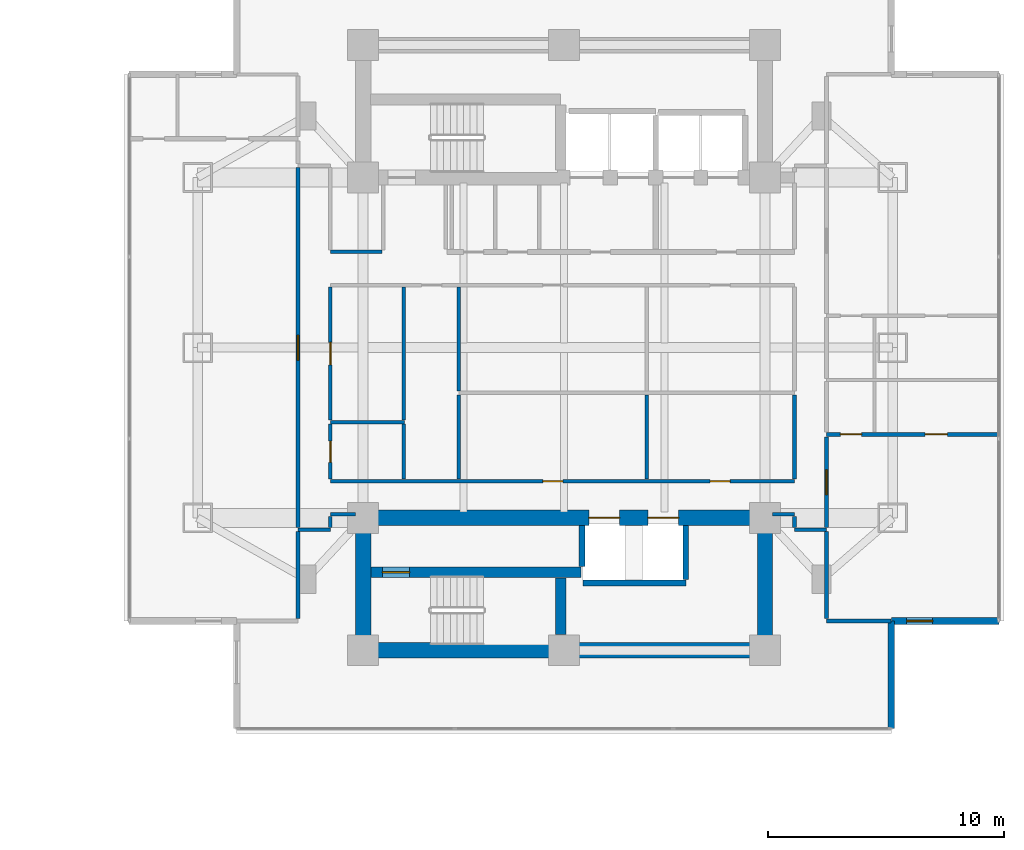
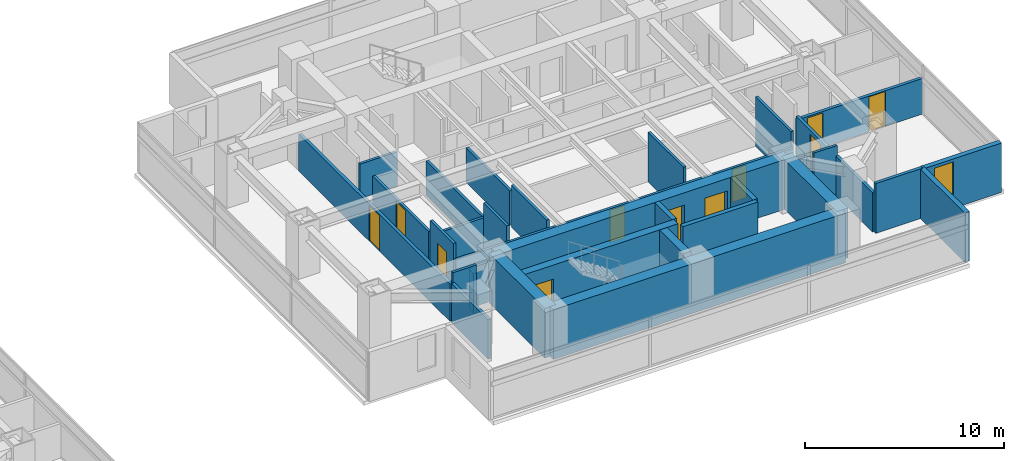
# One storey, part 17 of 24: 34 walls, 11 doors, 1 window, 12 openings.
"""IFC4 building model written with IfcOpenShell, lengths in metres."""

from ifc_helpers import new_model, si_unit, direction, frame, frame_2d, origin, place, context, subcontext, project, spatial, rectangle, extrude, material, layer, layer_set, type_object, element, fill, save


model = new_model("IFC4")

# Units and contexts
model_context = context("Model", 3, precision=1e-05, world=origin(), true_north=direction((0.0, 1.0)))
body_context = subcontext(model_context, "Body", "Model", "MODEL_VIEW")
ifc_project = project(units=[si_unit("LENGTHUNIT", "METRE"), si_unit("AREAUNIT", "SQUARE_METRE"), si_unit("VOLUMEUNIT", "CUBIC_METRE"), si_unit("PLANEANGLEUNIT", "RADIAN"), si_unit("MASSUNIT", "GRAM", prefix="KILO")], contexts=[model_context])

# Site, building, storey
site_placement = place(None, origin())
site = spatial("IfcSite", under=ifc_project, at=site_placement, CompositionType="ELEMENT")
building_placement = place(site_placement, origin())
building = spatial("IfcBuilding", under=site, at=building_placement, Name="Mirazonda Arch Towers", CompositionType="ELEMENT")
storey_placement = place(building_placement, frame((0.0, 0.0, 65.300048828125)))
storey = spatial("IfcBuildingStorey", under=building, at=storey_placement, Name="L18", CompositionType="ELEMENT", Elevation=65.300048828125)

# Wall, opening, door
ifc_material_1 = material(Name="Concrete C50/60", Category="concrete")
ifc_layer_1 = layer(ifc_material_1, 0.449951171875, Name="WALL-CORE-450")
ifc_layer_set_1 = layer_set([ifc_layer_1], Name="Concrete C50/60")
wall_type_1 = type_object("IfcWallType", Name="WALL-CORE-450", PredefinedType="SHEAR", material=ifc_layer_set_1)
wall_1_placement = place(storey_placement, frame((68.320068359375, 18.5, 0.0), z_axis=(0.0, 0.0, 1.0), x_axis=(1.0, 0.0, 0.0)))
wall_1 = element("IfcWall", 1, at=wall_1_placement, inside=storey, type_object=wall_type_1, Name="L18 Stair Core Shear Wall 014", PredefinedType="SHEAR", context=body_context, shape_type="SweptSolid", body=[
    extrude(rectangle(XDim=8.89990234375, YDim=0.449951171875, at=frame_2d((4.449951171875, 0.0))), origin(), (0.0, 0.0, 1.0), 3.06005859375),
])
opening_1_placement = place(wall_1_placement, frame((0.4951171875, 0.0, 0.0)))
opening_1 = element("IfcOpeningElement", 2, at=opening_1_placement, cuts=wall_1, Name="Opening DR-135", PredefinedType="OPENING", context=body_context, shape_type="SweptSolid", body=[
    extrude(rectangle(XDim=1.14990234375, YDim=2.199951171875, at=frame_2d((0.574951171875, 1.10009765625))), frame((0.0, 0.23486328125, 0.0), z_axis=(0.0, -1.0, 0.0), x_axis=(1.0, 0.0, 0.0)), (0.0, 0.0, 1.0), 0.469970703125),
])
ifc_material_2 = material(Name="Architectural Brushed Steel S355", Category="steel")
door_type_1 = type_object("IfcDoorType", Name="DOOR-STAIR-FD90-1150", OperationType="NOTDEFINED", PredefinedType="DOOR", material=ifc_material_2)
door_1_placement = place(opening_1_placement, origin())
door_1 = element("IfcDoor", 3, at=door_1_placement, inside=storey, type_object=door_type_1, Name="L18 East Protected Stair South Door", OperationType="SINGLE_SWING_LEFT", OverallHeight=2.199951171875, OverallWidth=1.14990234375, PredefinedType="DOOR", context=body_context, shape_type="SweptSolid", body=[
    extrude(rectangle(XDim=1.14990234375, YDim=2.199951171875, at=frame_2d((0.574951171875, 1.10009765625))), frame((0.0, 0.02490234375, 0.0), z_axis=(0.0, -1.0, 0.0), x_axis=(1.0, 0.0, 0.0)), (0.0, 0.0, 1.0), 0.050048828125),
])
fill(opening_1, door_1)

# Walls
wall_2_placement = place(storey_placement, frame((76.360107421875, 15.864990234375, 0.0), z_axis=(0.0, 0.0, 1.0), x_axis=(0.0, 1.0, 0.0)))
element("IfcWall", 4, at=wall_2_placement, inside=storey, type_object=wall_type_1, Name="L18 Stair Core Shear Wall 137", PredefinedType="SHEAR", context=body_context, shape_type="SweptSolid", body=[
    extrude(rectangle(XDim=2.39990234375, YDim=0.449951171875, at=frame_2d((1.199951171875, 0.0))), origin(), (0.0, 0.0, 1.0), 3.06005859375),
])
ifc_material_3 = material(Name="Concrete C60/75", Category="concrete")
ifc_layer_2 = layer(ifc_material_3, 0.64990234375, Name="WALL-CORE-650")
ifc_layer_set_2 = layer_set([ifc_layer_2], Name="Concrete C60/75")
wall_type_2 = type_object("IfcWallType", Name="WALL-CORE-650", PredefinedType="SHEAR", material=ifc_layer_set_2)
wall_3_placement = place(storey_placement, frame((68.0, 15.199951171875, 0.0), z_axis=(0.0, 0.0, 1.0), x_axis=(1.0, 0.0, 0.0)))
element("IfcWall", 5, at=wall_3_placement, inside=storey, type_object=wall_type_2, Name="L18 T2S-S Core Shear Wall", PredefinedType="SHEAR", context=body_context, shape_type="SweptSolid", body=[
    extrude(rectangle(XDim=17.0, YDim=0.64990234375, at=frame_2d((8.5, 0.0))), origin(), (0.0, 0.0, 1.0), 3.06005859375),
])
for number, where, z_axis, x_axis, name in (
    (6, (68.0, 15.199951171875, 0.0), (0.0, 0.0, 1.0), (0.0, 1.0, 0.0), "L18 T2S-W Core Shear Wall"),
    (7, (85.0, 15.199951171875, 0.0), (0.0, 0.0, 1.0), (0.0, 1.0, 0.0), "L18 T2S-E Core Shear Wall"),
):
    element("IfcWall", number, at=place(storey_placement, frame(where, z_axis=z_axis, x_axis=x_axis)), inside=storey, type_object=wall_type_2, Name=name, PredefinedType="SHEAR", context=body_context, shape_type="SweptSolid", body=[
        extrude(rectangle(XDim=5.60009765625, YDim=0.64990234375, at=frame_2d((2.800048828125, 0.0))), origin(), (0.0, 0.0, 1.0), 3.06005859375),
    ])

# Wall, openings, doors
wall_4_placement = place(storey_placement, frame((68.0, 20.800048828125, 0.0), z_axis=(0.0, 0.0, 1.0), x_axis=(1.0, 0.0, 0.0)))
wall_4 = element("IfcWall", 8, at=wall_4_placement, inside=storey, type_object=wall_type_2, Name="L18 T2S-N Core Shear Wall", PredefinedType="SHEAR", context=body_context, shape_type="SweptSolid", body=[
    extrude(rectangle(XDim=17.0, YDim=0.64990234375, at=frame_2d((8.5, 0.0))), origin(), (0.0, 0.0, 1.0), 3.06005859375),
])
opening_2_placement = place(wall_4_placement, frame((9.550048828125, 0.0, 0.0)))
opening_2 = element("IfcOpeningElement", 9, at=opening_2_placement, cuts=wall_4, Name="Opening LD-111", PredefinedType="OPENING", context=body_context, shape_type="SweptSolid", body=[
    extrude(rectangle(XDim=1.300048828125, YDim=2.300048828125, at=frame_2d((0.64990234375, 1.14990234375))), frame((0.0, 0.3349609375, 0.0), z_axis=(0.0, -1.0, 0.0), x_axis=(1.0, 0.0, 0.0)), (0.0, 0.0, 1.0), 0.669921875),
])
opening_3_placement = place(wall_4_placement, frame((12.050048828125, 0.0, 0.0)))
opening_3 = element("IfcOpeningElement", 10, at=opening_3_placement, cuts=wall_4, Name="Opening LD-111", PredefinedType="OPENING", context=body_context, shape_type="SweptSolid", body=[
    extrude(rectangle(XDim=1.300048828125, YDim=2.300048828125, at=frame_2d((0.64990234375, 1.14990234375))), frame((0.0, 0.3349609375, 0.0), z_axis=(0.0, -1.0, 0.0), x_axis=(1.0, 0.0, 0.0)), (0.0, 0.0, 1.0), 0.669921875),
])
door_type_2 = type_object("IfcDoorType", Name="DOOR-LIFT-LAND-1300", OperationType="NOTDEFINED", PredefinedType="DOOR", material=ifc_material_2)
door_2_placement = place(opening_2_placement, origin())
door_2 = element("IfcDoor", 11, at=door_2_placement, inside=storey, type_object=door_type_2, Name="L18 Lift Landing Sliding Door PL-T2H1", OperationType="DOUBLE_DOOR_SLIDING", OverallHeight=2.300048828125, OverallWidth=1.300048828125, PredefinedType="DOOR", context=body_context, shape_type="SweptSolid", body=[
    extrude(rectangle(XDim=1.300048828125, YDim=2.300048828125, at=frame_2d((0.64990234375, 1.14990234375))), frame((0.0, 0.02490234375, 0.0), z_axis=(0.0, -1.0, 0.0), x_axis=(1.0, 0.0, 0.0)), (0.0, 0.0, 1.0), 0.050048828125),
])
fill(opening_2, door_2)
door_3_placement = place(opening_3_placement, origin())
door_3 = element("IfcDoor", 12, at=door_3_placement, inside=storey, type_object=door_type_2, Name="L18 Lift Landing Sliding Door PL-T2H2", OperationType="DOUBLE_DOOR_SLIDING", OverallHeight=2.300048828125, OverallWidth=1.300048828125, PredefinedType="DOOR", context=body_context, shape_type="SweptSolid", body=[
    extrude(rectangle(XDim=1.300048828125, YDim=2.300048828125, at=frame_2d((0.64990234375, 1.14990234375))), frame((0.0, 0.02490234375, 0.0), z_axis=(0.0, -1.0, 0.0), x_axis=(1.0, 0.0, 0.0)), (0.0, 0.0, 1.0), 0.050048828125),
])
fill(opening_3, door_3)

# Wall, opening, window
ifc_material_4 = material(Name="Precast Concrete C40/50", Category="concrete")
ifc_layer_3 = layer(ifc_material_4, 0.280029296875, Name="WALL-EXT-WALL-280")
ifc_layer_set_3 = layer_set([ifc_layer_3], Name="Precast Concrete C40/50")
wall_type_3 = type_object("IfcWallType", Name="WALL-EXT-WALL-280", PredefinedType="SOLIDWALL", material=ifc_layer_set_3)
wall_5_placement = place(storey_placement, frame((90.345947265625, 16.436767578125, 0.0), z_axis=(0.0, 0.0, 1.0), x_axis=(1.0, 0.0, 0.0)))
wall_5 = element("IfcWall", 13, at=wall_5_placement, inside=storey, type_object=wall_type_3, Name="L18 T2 Corner Notch Return Wall WL-L18-T2-CSE1", PredefinedType="SOLIDWALL", context=body_context, shape_type="SweptSolid", body=[
    extrude(rectangle(XDim=4.546142578125, YDim=0.280029296875, at=frame_2d((2.27294921875, 0.0))), origin(), (0.0, 0.0, 1.0), 3.0400390625),
])
opening_4_placement = place(wall_5_placement, frame((0.64990234375, 0.0, 0.85009765625)))
opening_4 = element("IfcOpeningElement", 14, at=opening_4_placement, cuts=wall_5, Name="Opening WN-108", PredefinedType="OPENING", context=body_context, shape_type="SweptSolid", body=[
    extrude(rectangle(XDim=1.10009765625, YDim=2.0, at=frame_2d((0.550048828125, 1.0))), frame((0.0, 0.14990234375, 0.0), z_axis=(0.0, -1.0, 0.0), x_axis=(1.0, 0.0, 0.0)), (0.0, 0.0, 1.0), 0.300048828125),
])
ifc_material_5 = material(Name="Insulated Low-E Solar Glass", Category="glass")
window_type = type_object("IfcWindowType", Name="WIN-NOTCH-1100x2000", PartitioningType="SINGLE_PANEL", PredefinedType="WINDOW", material=ifc_material_5)
window_placement = place(opening_4_placement, origin())
window = element("IfcWindow", 15, at=window_placement, inside=storey, type_object=window_type, Name="L18 Punched Facade Window WN-L18-T2-CSE1", OverallHeight=2.0, OverallWidth=1.10009765625, PartitioningType="SINGLE_PANEL", PredefinedType="WINDOW", context=body_context, shape_type="SweptSolid", body=[
    extrude(rectangle(XDim=1.10009765625, YDim=2.0, at=frame_2d((0.550048828125, 1.0))), frame((0.0, 0.030029296875, 0.0), z_axis=(0.0, -1.0, 0.0), x_axis=(1.0, 0.0, 0.0)), (0.0, 0.0, 1.0), 0.06005859375),
])
fill(opening_4, window)

# Walls
wall_6_placement = place(storey_placement, frame((90.345947265625, 11.890869140625, 0.0), z_axis=(0.0, 0.0, 1.0), x_axis=(0.0, 1.0, 0.0)))
element("IfcWall", 16, at=wall_6_placement, inside=storey, type_object=wall_type_3, Name="L18 T2 Corner Notch Return Wall WL-L18-T2-CSE2", PredefinedType="SOLIDWALL", context=body_context, shape_type="SweptSolid", body=[
    extrude(rectangle(XDim=4.5458984375, YDim=0.280029296875, at=frame_2d((2.27294921875, 0.0))), origin(), (0.0, 0.0, 1.0), 3.0400390625),
])
ifc_material_6 = material(Name="Fire-Rated Gypsum Stud Partition")
ifc_layer_4 = layer(ifc_material_6, 0.14990234375, Name="WALL-PART-CORR-150")
ifc_layer_set_4 = layer_set([ifc_layer_4], Name="Fire-Rated Gypsum Stud Partition")
wall_type_4 = type_object("IfcWallType", Name="WALL-PART-CORR-150", PredefinedType="PARTITIONING", material=ifc_layer_set_4)
wall_7_placement = place(storey_placement, frame((65.25, 20.300048828125, 0.0), z_axis=(0.0, 0.0, 1.0), x_axis=(1.0, 0.0, 0.0)))
element("IfcWall", 17, at=wall_7_placement, inside=storey, type_object=wall_type_4, Name="L18 Interior Partition 017", PredefinedType="PARTITIONING", context=body_context, shape_type="SweptSolid", body=[
    extrude(rectangle(XDim=1.3701171875, YDim=0.14990234375, at=frame_2d((0.68505859375, 0.0))), origin(), (0.0, 0.0, 1.0), 3.06005859375),
])
wall_8_placement = place(storey_placement, frame((86.25, 20.300048828125, 0.0), z_axis=(0.0, 0.0, 1.0), x_axis=(1.0, 0.0, 0.0)))
element("IfcWall", 18, at=wall_8_placement, inside=storey, type_object=wall_type_4, Name="L18 Interior Partition 018", PredefinedType="PARTITIONING", context=body_context, shape_type="SweptSolid", body=[
    extrude(rectangle(XDim=1.35009765625, YDim=0.14990234375, at=frame_2d((0.675048828125, 0.0))), origin(), (0.0, 0.0, 1.0), 3.06005859375),
])
wall_9_placement = place(storey_placement, frame((66.6201171875, 20.949951171875, 0.0), z_axis=(0.0, 0.0, 1.0), x_axis=(1.0, 0.0, 0.0)))
element("IfcWall", 19, at=wall_9_placement, inside=storey, type_object=wall_type_4, Name="L18 Interior Partition 019", PredefinedType="PARTITIONING", context=body_context, shape_type="SweptSolid", body=[
    extrude(rectangle(XDim=1.059814453125, YDim=0.14990234375, at=frame_2d((0.52978515625, 0.0))), origin(), (0.0, 0.0, 1.0), 2.451904296875),
])
wall_10_placement = place(storey_placement, frame((85.320068359375, 20.949951171875, 0.0), z_axis=(0.0, 0.0, 1.0), x_axis=(1.0, 0.0, 0.0)))
element("IfcWall", 20, at=wall_10_placement, inside=storey, type_object=wall_type_4, Name="L18 Interior Partition 020", PredefinedType="PARTITIONING", context=body_context, shape_type="SweptSolid", body=[
    extrude(rectangle(XDim=0.929931640625, YDim=0.14990234375, at=frame_2d((0.46484375, 0.0))), origin(), (0.0, 0.0, 1.0), 2.451904296875),
])

# Wall, openings, doors
wall_11_placement = place(storey_placement, frame((66.6201171875, 22.35009765625, 0.0), z_axis=(0.0, 0.0, 1.0), x_axis=(1.0, 0.0, 0.0)))
wall_11 = element("IfcWall", 21, at=wall_11_placement, inside=storey, type_object=wall_type_4, Name="L18 Interior Partition 022", PredefinedType="PARTITIONING", context=body_context, shape_type="SweptSolid", body=[
    extrude(rectangle(XDim=19.6298828125, YDim=0.14990234375, at=frame_2d((9.81494140625, 0.0))), origin(), (0.0, 0.0, 1.0), 2.125),
])
opening_5_placement = place(wall_11_placement, frame((8.98095703125, 0.0, 0.0)))
opening_5 = element("IfcOpeningElement", 22, at=opening_5_placement, cuts=wall_11, Name="Opening DR-128", PredefinedType="OPENING", context=body_context, shape_type="SweptSolid", body=[
    extrude(rectangle(XDim=0.85009765625, YDim=2.010009765625, at=frame_2d((0.425048828125, 1.0048828125))), frame((0.0, 0.0849609375, 0.0), z_axis=(0.0, -1.0, 0.0), x_axis=(1.0, 0.0, 0.0)), (0.0, 0.0, 1.0), 0.169921875),
])
opening_6_placement = place(wall_11_placement, frame((16.06103515625, 0.0, 0.0)))
opening_6 = element("IfcOpeningElement", 23, at=opening_6_placement, cuts=wall_11, Name="Opening DR-128", PredefinedType="OPENING", context=body_context, shape_type="SweptSolid", body=[
    extrude(rectangle(XDim=0.85009765625, YDim=2.010009765625, at=frame_2d((0.425048828125, 1.0048828125))), frame((0.0, 0.0849609375, 0.0), z_axis=(0.0, -1.0, 0.0), x_axis=(1.0, 0.0, 0.0)), (0.0, 0.0, 1.0), 0.169921875),
])
door_type_3 = type_object("IfcDoorType", Name="DOOR-RISER-FD60-850", OperationType="NOTDEFINED", PredefinedType="DOOR", material=ifc_material_2)
door_4_placement = place(opening_5_placement, origin())
door_4 = element("IfcDoor", 24, at=door_4_placement, inside=storey, type_object=door_type_3, Name="L18 Executive Club Lounge Door", OperationType="SINGLE_SWING_RIGHT", OverallHeight=2.010009765625, OverallWidth=0.85009765625, PredefinedType="DOOR", context=body_context, shape_type="SweptSolid", body=[
    extrude(rectangle(XDim=0.85009765625, YDim=2.010009765625, at=frame_2d((0.425048828125, 1.0048828125))), frame((0.0, 0.02490234375, 0.0), z_axis=(0.0, -1.0, 0.0), x_axis=(1.0, 0.0, 0.0)), (0.0, 0.0, 1.0), 0.050048828125),
])
fill(opening_5, door_4)
door_5_placement = place(opening_6_placement, origin())
door_5 = element("IfcDoor", 25, at=door_5_placement, inside=storey, type_object=door_type_3, Name="L18 Business Reading Study Door", OperationType="SINGLE_SWING_LEFT", OverallHeight=2.010009765625, OverallWidth=0.85009765625, PredefinedType="DOOR", context=body_context, shape_type="SweptSolid", body=[
    extrude(rectangle(XDim=0.85009765625, YDim=2.010009765625, at=frame_2d((0.425048828125, 1.0048828125))), frame((0.0, 0.02490234375, 0.0), z_axis=(0.0, -1.0, 0.0), x_axis=(1.0, 0.0, 0.0)), (0.0, 0.0, 1.0), 0.050048828125),
])
fill(opening_6, door_5)

# Walls
wall_12_placement = place(storey_placement, frame((66.6201171875, 24.85009765625, 0.0), z_axis=(0.0, 0.0, 1.0), x_axis=(1.0, 0.0, 0.0)))
element("IfcWall", 26, at=wall_12_placement, inside=storey, type_object=wall_type_4, Name="L18 Interior Partition 027", PredefinedType="PARTITIONING", context=body_context, shape_type="SweptSolid", body=[
    extrude(rectangle(XDim=3.1298828125, YDim=0.14990234375, at=frame_2d((1.56494140625, 0.0))), origin(), (0.0, 0.0, 1.0), 2.125),
])
wall_13_placement = place(storey_placement, frame((66.6201171875, 32.050048828125, 0.0), z_axis=(0.0, 0.0, 1.0), x_axis=(1.0, 0.0, 0.0)))
element("IfcWall", 27, at=wall_13_placement, inside=storey, type_object=wall_type_4, Name="L18 Interior Partition 035", PredefinedType="PARTITIONING", context=body_context, shape_type="SweptSolid", body=[
    extrude(rectangle(XDim=2.179931640625, YDim=0.14990234375, at=frame_2d((1.08984375, 0.0))), origin(), (0.0, 0.0, 1.0), 2.125),
])
wall_14_placement = place(storey_placement, frame((66.6201171875, 20.385009765625, 0.0), z_axis=(0.0, 0.0, 1.0), x_axis=(0.0, 1.0, 0.0)))
element("IfcWall", 28, at=wall_14_placement, inside=storey, type_object=wall_type_4, Name="L18 Interior Partition 124", PredefinedType="PARTITIONING", context=body_context, shape_type="SweptSolid", body=[
    extrude(rectangle(XDim=0.47998046875, YDim=0.14990234375, at=frame_2d((0.239990234375, 0.0))), origin(), (0.0, 0.0, 1.0), 2.451904296875),
])

# Wall, opening, door
wall_15_placement = place(storey_placement, frame((66.6201171875, 22.43505859375, 0.0), z_axis=(0.0, 0.0, 1.0), x_axis=(0.0, 1.0, 0.0)))
wall_15 = element("IfcWall", 29, at=wall_15_placement, inside=storey, type_object=wall_type_4, Name="L18 Interior Partition 125", PredefinedType="PARTITIONING", context=body_context, shape_type="SweptSolid", body=[
    extrude(rectangle(XDim=2.329833984375, YDim=0.14990234375, at=frame_2d((1.1650390625, 0.0))), origin(), (0.0, 0.0, 1.0), 3.06005859375),
])
opening_7_placement = place(wall_15_placement, frame((0.715087890625, 0.0, 0.0)))
opening_7 = element("IfcOpeningElement", 30, at=opening_7_placement, cuts=wall_15, Name="Opening DR-120", PredefinedType="OPENING", context=body_context, shape_type="SweptSolid", body=[
    extrude(rectangle(XDim=0.89990234375, YDim=2.10009765625, at=frame_2d((0.449951171875, 1.050048828125))), frame((0.0, 0.0849609375, 0.0), z_axis=(0.0, -1.0, 0.0), x_axis=(1.0, 0.0, 0.0)), (0.0, 0.0, 1.0), 0.169921875),
])
door_type_4 = type_object("IfcDoorType", Name="DOOR-WC-900", OperationType="NOTDEFINED", PredefinedType="DOOR", material=ifc_material_2)
door_6_placement = place(opening_7_placement, origin())
door_6 = element("IfcDoor", 31, at=door_6_placement, inside=storey, type_object=door_type_4, Name="L18 Tower 2 Common Accessible WC Door", OperationType="SINGLE_SWING_RIGHT", OverallHeight=2.10009765625, OverallWidth=0.89990234375, PredefinedType="DOOR", context=body_context, shape_type="SweptSolid", body=[
    extrude(rectangle(XDim=0.89990234375, YDim=2.10009765625, at=frame_2d((0.449951171875, 1.050048828125))), frame((0.0, 0.02490234375, 0.0), z_axis=(0.0, -1.0, 0.0), x_axis=(1.0, 0.0, 0.0)), (0.0, 0.0, 1.0), 0.050048828125),
])
fill(opening_7, door_6)

wall_16_placement = place(storey_placement, frame((66.6201171875, 24.93505859375, 0.0), z_axis=(0.0, 0.0, 1.0), x_axis=(0.0, 1.0, 0.0)))
wall_16 = element("IfcWall", 32, at=wall_16_placement, inside=storey, type_object=wall_type_4, Name="L18 Interior Partition 126", PredefinedType="PARTITIONING", context=body_context, shape_type="SweptSolid", body=[
    extrude(rectangle(XDim=5.6298828125, YDim=0.14990234375, at=frame_2d((2.81494140625, 0.0))), origin(), (0.0, 0.0, 1.0), 2.279052734375),
])
opening_8_placement = place(wall_16_placement, frame((2.340087890625, 0.0, 0.0)))
opening_8 = element("IfcOpeningElement", 33, at=opening_8_placement, cuts=wall_16, Name="Opening DR-104", PredefinedType="OPENING", context=body_context, shape_type="SweptSolid", body=[
    extrude(rectangle(XDim=0.949951171875, YDim=2.14990234375, at=frame_2d((0.47509765625, 1.074951171875))), frame((0.0, 0.0849609375, 0.0), z_axis=(0.0, -1.0, 0.0), x_axis=(1.0, 0.0, 0.0)), (0.0, 0.0, 1.0), 0.169921875),
])
door_type_5 = type_object("IfcDoorType", Name="DOOR-ROOM-950", OperationType="NOTDEFINED", PredefinedType="DOOR", material=ifc_material_2)
door_7_placement = place(opening_8_placement, origin())
door_7 = element("IfcDoor", 34, at=door_7_placement, inside=storey, type_object=door_type_5, Name="L18 L18 East Courtyard Reading Study Door", OperationType="SINGLE_SWING_RIGHT", OverallHeight=2.14990234375, OverallWidth=0.949951171875, PredefinedType="DOOR", context=body_context, shape_type="SweptSolid", body=[
    extrude(rectangle(XDim=0.949951171875, YDim=2.14990234375, at=frame_2d((0.47509765625, 1.074951171875))), frame((0.0, 0.02490234375, 0.0), z_axis=(0.0, -1.0, 0.0), x_axis=(1.0, 0.0, 0.0)), (0.0, 0.0, 1.0), 0.050048828125),
])
fill(opening_8, door_7)

# Walls
wall_17_placement = place(storey_placement, frame((69.723388671875, 22.43505859375, 0.0), z_axis=(0.0, 0.0, 1.0), x_axis=(0.0, 1.0, 0.0)))
element("IfcWall", 35, at=wall_17_placement, inside=storey, type_object=wall_type_4, Name="L18 Interior Partition 129", PredefinedType="PARTITIONING", context=body_context, shape_type="SweptSolid", body=[
    extrude(rectangle(XDim=2.329833984375, YDim=0.14990234375, at=frame_2d((1.1650390625, 0.0))), origin(), (0.0, 0.0, 1.0), 3.06005859375),
])
wall_18_placement = place(storey_placement, frame((69.723388671875, 24.93505859375, 0.0), z_axis=(0.0, 0.0, 1.0), x_axis=(0.0, 1.0, 0.0)))
element("IfcWall", 36, at=wall_18_placement, inside=storey, type_object=wall_type_4, Name="L18 Interior Partition 130", PredefinedType="PARTITIONING", context=body_context, shape_type="SweptSolid", body=[
    extrude(rectangle(XDim=5.6298828125, YDim=0.14990234375, at=frame_2d((2.81494140625, 0.0))), origin(), (0.0, 0.0, 1.0), 2.125),
])
wall_19_placement = place(storey_placement, frame((72.050048828125, 22.43505859375, 0.0), z_axis=(0.0, 0.0, 1.0), x_axis=(0.0, 1.0, 0.0)))
element("IfcWall", 37, at=wall_19_placement, inside=storey, type_object=wall_type_4, Name="L18 Interior Partition 133", PredefinedType="PARTITIONING", context=body_context, shape_type="SweptSolid", body=[
    extrude(rectangle(XDim=3.56494140625, YDim=0.14990234375, at=frame_2d((1.782470703125, 0.0))), origin(), (0.0, 0.0, 1.0), 2.5888671875),
])
wall_20_placement = place(storey_placement, frame((72.050048828125, 26.169921875, 0.0), z_axis=(0.0, 0.0, 1.0), x_axis=(0.0, 1.0, 0.0)))
element("IfcWall", 38, at=wall_20_placement, inside=storey, type_object=wall_type_4, Name="L18 Interior Partition 134", PredefinedType="PARTITIONING", context=body_context, shape_type="SweptSolid", body=[
    extrude(rectangle(XDim=4.39501953125, YDim=0.14990234375, at=frame_2d((2.197509765625, 0.0))), origin(), (0.0, 0.0, 1.0), 2.125),
])
wall_21_placement = place(storey_placement, frame((80.001953125, 22.43505859375, 0.0), z_axis=(0.0, 0.0, 1.0), x_axis=(0.0, 1.0, 0.0)))
element("IfcWall", 39, at=wall_21_placement, inside=storey, type_object=wall_type_4, Name="L18 Interior Partition 140", PredefinedType="PARTITIONING", context=body_context, shape_type="SweptSolid", body=[
    extrude(rectangle(XDim=3.56494140625, YDim=0.14990234375, at=frame_2d((1.782470703125, 0.0))), origin(), (0.0, 0.0, 1.0), 3.06005859375),
])
wall_22_placement = place(storey_placement, frame((86.25, 20.385009765625, 0.0), z_axis=(0.0, 0.0, 1.0), x_axis=(0.0, 1.0, 0.0)))
element("IfcWall", 40, at=wall_22_placement, inside=storey, type_object=wall_type_4, Name="L18 Interior Partition 146", PredefinedType="PARTITIONING", context=body_context, shape_type="SweptSolid", body=[
    extrude(rectangle(XDim=0.47998046875, YDim=0.14990234375, at=frame_2d((0.239990234375, 0.0))), origin(), (0.0, 0.0, 1.0), 2.451904296875),
])
wall_23_placement = place(storey_placement, frame((86.25, 22.43505859375, 0.0), z_axis=(0.0, 0.0, 1.0), x_axis=(0.0, 1.0, 0.0)))
element("IfcWall", 41, at=wall_23_placement, inside=storey, type_object=wall_type_4, Name="L18 Interior Partition 147", PredefinedType="PARTITIONING", context=body_context, shape_type="SweptSolid", body=[
    extrude(rectangle(XDim=3.56494140625, YDim=0.14990234375, at=frame_2d((1.782470703125, 0.0))), origin(), (0.0, 0.0, 1.0), 3.06005859375),
])
ifc_material_7 = material(Name="Fire-Rated Gypsum Twin-Stud Assembly")
ifc_layer_5 = layer(ifc_material_7, 0.179931640625, Name="WALL-PART-DEMISE-180")
ifc_layer_set_5 = layer_set([ifc_layer_5], Name="Fire-Rated Gypsum Twin-Stud Assembly")
wall_type_5 = type_object("IfcWallType", Name="WALL-PART-DEMISE-180", PredefinedType="PARTITIONING", material=ifc_layer_set_5)
wall_24_placement = place(storey_placement, frame((87.60009765625, 16.43701171875, 0.0), z_axis=(0.0, 0.0, 1.0), x_axis=(1.0, 0.0, 0.0)))
element("IfcWall", 42, at=wall_24_placement, inside=storey, type_object=wall_type_5, Name="L18 Interior Partition 010", PredefinedType="PARTITIONING", context=body_context, shape_type="SweptSolid", body=[
    extrude(rectangle(XDim=2.725830078125, YDim=0.179931640625, at=frame_2d((1.36279296875, 0.0))), origin(), (0.0, 0.0, 1.0), 3.06005859375),
])

# Wall, openings, doors
wall_25_placement = place(storey_placement, frame((87.60009765625, 24.33203125, 0.0), z_axis=(0.0, 0.0, 1.0), x_axis=(1.0, 0.0, 0.0)))
wall_25 = element("IfcWall", 43, at=wall_25_placement, inside=storey, type_object=wall_type_5, Name="L18 Interior Partition 025", PredefinedType="PARTITIONING", context=body_context, shape_type="SweptSolid", body=[
    extrude(rectangle(XDim=7.2919921875, YDim=0.179931640625, at=frame_2d((3.64599609375, 0.0))), origin(), (0.0, 0.0, 1.0), 2.196044921875),
])
opening_9_placement = place(wall_25_placement, frame((4.1708984375, 0.0, 0.0)))
opening_9 = element("IfcOpeningElement", 44, at=opening_9_placement, cuts=wall_25, Name="Opening DR-104", PredefinedType="OPENING", context=body_context, shape_type="SweptSolid", body=[
    extrude(rectangle(XDim=0.949951171875, YDim=2.14990234375, at=frame_2d((0.47509765625, 1.074951171875))), frame((0.0, 0.099853515625, 0.0), z_axis=(0.0, -1.0, 0.0), x_axis=(1.0, 0.0, 0.0)), (0.0, 0.0, 1.0), 0.199951171875),
])
opening_10_placement = place(wall_25_placement, frame((0.590087890625, 0.0, 0.0)))
opening_10 = element("IfcOpeningElement", 45, at=opening_10_placement, cuts=wall_25, Name="Opening DR-120", PredefinedType="OPENING", context=body_context, shape_type="SweptSolid", body=[
    extrude(rectangle(XDim=0.89990234375, YDim=2.10009765625, at=frame_2d((0.449951171875, 1.050048828125))), frame((0.0, 0.099853515625, 0.0), z_axis=(0.0, -1.0, 0.0), x_axis=(1.0, 0.0, 0.0)), (0.0, 0.0, 1.0), 0.199951171875),
])
door_8_placement = place(opening_9_placement, origin())
door_8 = element("IfcDoor", 46, at=door_8_placement, inside=storey, type_object=door_type_5, Name="L18 Suite Bedroom 1 Door", OperationType="SINGLE_SWING_LEFT", OverallHeight=2.14990234375, OverallWidth=0.949951171875, PredefinedType="DOOR", context=body_context, shape_type="SweptSolid", body=[
    extrude(rectangle(XDim=0.949951171875, YDim=2.14990234375, at=frame_2d((0.47509765625, 1.074951171875))), frame((0.0, 0.02490234375, 0.0), z_axis=(0.0, -1.0, 0.0), x_axis=(1.0, 0.0, 0.0)), (0.0, 0.0, 1.0), 0.050048828125),
])
fill(opening_9, door_8)
door_9_placement = place(opening_10_placement, origin())
door_9 = element("IfcDoor", 47, at=door_9_placement, inside=storey, type_object=door_type_4, Name="L18 Suite En-Suite Bathroom 1 Door", OperationType="SINGLE_SWING_RIGHT", OverallHeight=2.10009765625, OverallWidth=0.89990234375, PredefinedType="DOOR", context=body_context, shape_type="SweptSolid", body=[
    extrude(rectangle(XDim=0.89990234375, YDim=2.10009765625, at=frame_2d((0.449951171875, 1.050048828125))), frame((0.0, 0.02490234375, 0.0), z_axis=(0.0, -1.0, 0.0), x_axis=(1.0, 0.0, 0.0)), (0.0, 0.0, 1.0), 0.050048828125),
])
fill(opening_10, door_9)

# Wall
wall_26_placement = place(storey_placement, frame((65.25, 16.537109375, 0.0), z_axis=(0.0, 0.0, 1.0), x_axis=(0.0, 1.0, 0.0)))
element("IfcWall", 48, at=wall_26_placement, inside=storey, type_object=wall_type_5, Name="L18 Interior Partition 120", PredefinedType="PARTITIONING", context=body_context, shape_type="SweptSolid", body=[
    extrude(rectangle(XDim=3.677978515625, YDim=0.179931640625, at=frame_2d((1.8388671875, 0.0))), origin(), (0.0, 0.0, 1.0), 2.43603515625),
])

# Wall, opening, door
wall_27_placement = place(storey_placement, frame((65.25, 20.385009765625, 0.0), z_axis=(0.0, 0.0, 1.0), x_axis=(0.0, 1.0, 0.0)))
wall_27 = element("IfcWall", 49, at=wall_27_placement, inside=storey, type_object=wall_type_5, Name="L18 Interior Partition 121", PredefinedType="PARTITIONING", context=body_context, shape_type="SweptSolid", body=[
    extrude(rectangle(XDim=15.22998046875, YDim=0.179931640625, at=frame_2d((7.614990234375, 0.0))), origin(), (0.0, 0.0, 1.0), 2.279052734375),
])
opening_11_placement = place(wall_27_placement, frame((7.090087890625, 0.0, 0.0)))
opening_11 = element("IfcOpeningElement", 50, at=opening_11_placement, cuts=wall_27, Name="Opening DR-121", PredefinedType="OPENING", context=body_context, shape_type="SweptSolid", body=[
    extrude(rectangle(XDim=1.050048828125, YDim=2.199951171875, at=frame_2d((0.52490234375, 1.10009765625))), frame((0.0, 0.099853515625, 0.0), z_axis=(0.0, -1.0, 0.0), x_axis=(1.0, 0.0, 0.0)), (0.0, 0.0, 1.0), 0.199951171875),
])
door_type_6 = type_object("IfcDoorType", Name="DOOR-SUITE-FD60-1050", OperationType="NOTDEFINED", PredefinedType="DOOR", material=ifc_material_2)
door_10_placement = place(opening_11_placement, origin())
door_10 = element("IfcDoor", 51, at=door_10_placement, inside=storey, type_object=door_type_6, Name="L18 Presidential Hotel Suite 1 Door", OperationType="SINGLE_SWING_LEFT", OverallHeight=2.199951171875, OverallWidth=1.050048828125, PredefinedType="DOOR", context=body_context, shape_type="SweptSolid", body=[
    extrude(rectangle(XDim=1.050048828125, YDim=2.199951171875, at=frame_2d((0.52490234375, 1.10009765625))), frame((0.0, 0.02490234375, 0.0), z_axis=(0.0, -1.0, 0.0), x_axis=(1.0, 0.0, 0.0)), (0.0, 0.0, 1.0), 0.050048828125),
])
fill(opening_11, door_10)

# Wall
wall_28_placement = place(storey_placement, frame((87.60009765625, 16.537109375, 0.0), z_axis=(0.0, 0.0, 1.0), x_axis=(0.0, 1.0, 0.0)))
element("IfcWall", 52, at=wall_28_placement, inside=storey, type_object=wall_type_5, Name="L18 Interior Partition 151", PredefinedType="PARTITIONING", context=body_context, shape_type="SweptSolid", body=[
    extrude(rectangle(XDim=3.677978515625, YDim=0.179931640625, at=frame_2d((1.8388671875, 0.0))), origin(), (0.0, 0.0, 1.0), 2.43603515625),
])

# Wall, opening, door
wall_29_placement = place(storey_placement, frame((87.60009765625, 20.385009765625, 0.0), z_axis=(0.0, 0.0, 1.0), x_axis=(0.0, 1.0, 0.0)))
wall_29 = element("IfcWall", 53, at=wall_29_placement, inside=storey, type_object=wall_type_5, Name="L18 Interior Partition 152", PredefinedType="PARTITIONING", context=body_context, shape_type="SweptSolid", body=[
    extrude(rectangle(XDim=3.846923828125, YDim=0.179931640625, at=frame_2d((1.92333984375, 0.0))), origin(), (0.0, 0.0, 1.0), 2.451904296875),
])
opening_12_placement = place(wall_29_placement, frame((1.3984375, 0.0, 0.0)))
opening_12 = element("IfcOpeningElement", 54, at=opening_12_placement, cuts=wall_29, Name="Opening DR-121", PredefinedType="OPENING", context=body_context, shape_type="SweptSolid", body=[
    extrude(rectangle(XDim=1.050048828125, YDim=2.199951171875, at=frame_2d((0.52490234375, 1.10009765625))), frame((0.0, 0.099853515625, 0.0), z_axis=(0.0, -1.0, 0.0), x_axis=(1.0, 0.0, 0.0)), (0.0, 0.0, 1.0), 0.199951171875),
])
door_11_placement = place(opening_12_placement, origin())
door_11 = element("IfcDoor", 55, at=door_11_placement, inside=storey, type_object=door_type_6, Name="L18 Panoramic Suite Salon 1 Door", OperationType="SINGLE_SWING_RIGHT", OverallHeight=2.199951171875, OverallWidth=1.050048828125, PredefinedType="DOOR", context=body_context, shape_type="SweptSolid", body=[
    extrude(rectangle(XDim=1.050048828125, YDim=2.199951171875, at=frame_2d((0.52490234375, 1.10009765625))), frame((0.0, 0.02490234375, 0.0), z_axis=(0.0, -1.0, 0.0), x_axis=(1.0, 0.0, 0.0)), (0.0, 0.0, 1.0), 0.050048828125),
])
fill(opening_12, door_11)

# Walls
ifc_material_8 = material(Name="Concrete C40/50", Category="concrete")
ifc_layer_6 = layer(ifc_material_8, 0.25, Name="WALL-SHAFT-250")
ifc_layer_set_6 = layer_set([ifc_layer_6], Name="Concrete C40/50")
wall_type_6 = type_object("IfcWallType", Name="WALL-SHAFT-250", PredefinedType="SOLIDWALL", material=ifc_layer_set_6)
wall_30_placement = place(storey_placement, frame((77.300048828125, 18.050048828125, 0.0), z_axis=(0.0, 0.0, 1.0), x_axis=(1.0, 0.0, 0.0)))
element("IfcWall", 56, at=wall_30_placement, inside=storey, type_object=wall_type_6, Name="L18 Interior Partition 011", PredefinedType="SOLIDWALL", context=body_context, shape_type="SweptSolid", body=[
    extrude(rectangle(XDim=4.349853515625, YDim=0.25, at=frame_2d((2.1748046875, 0.0))), origin(), (0.0, 0.0, 1.0), 3.06005859375),
])
wall_31_placement = place(storey_placement, frame((77.260009765625, 18.735107421875, 0.0), z_axis=(0.0, 0.0, 1.0), x_axis=(0.0, 1.0, 0.0)))
element("IfcWall", 57, at=wall_31_placement, inside=storey, type_object=wall_type_6, Name="L18 Interior Partition 139", PredefinedType="SOLIDWALL", context=body_context, shape_type="SweptSolid", body=[
    extrude(rectangle(XDim=1.744873046875, YDim=0.25, at=frame_2d((0.87255859375, 0.0))), origin(), (0.0, 0.0, 1.0), 3.06005859375),
])
wall_32_placement = place(storey_placement, frame((81.64990234375, 18.18505859375, 0.0), z_axis=(0.0, 0.0, 1.0), x_axis=(0.0, 1.0, 0.0)))
element("IfcWall", 58, at=wall_32_placement, inside=storey, type_object=wall_type_6, Name="L18 Interior Partition 144", PredefinedType="SOLIDWALL", context=body_context, shape_type="SweptSolid", body=[
    extrude(rectangle(XDim=2.294921875, YDim=0.25, at=frame_2d((1.1474609375, 0.0))), origin(), (0.0, 0.0, 1.0), 3.06005859375),
])

save(model, "model.ifc")
